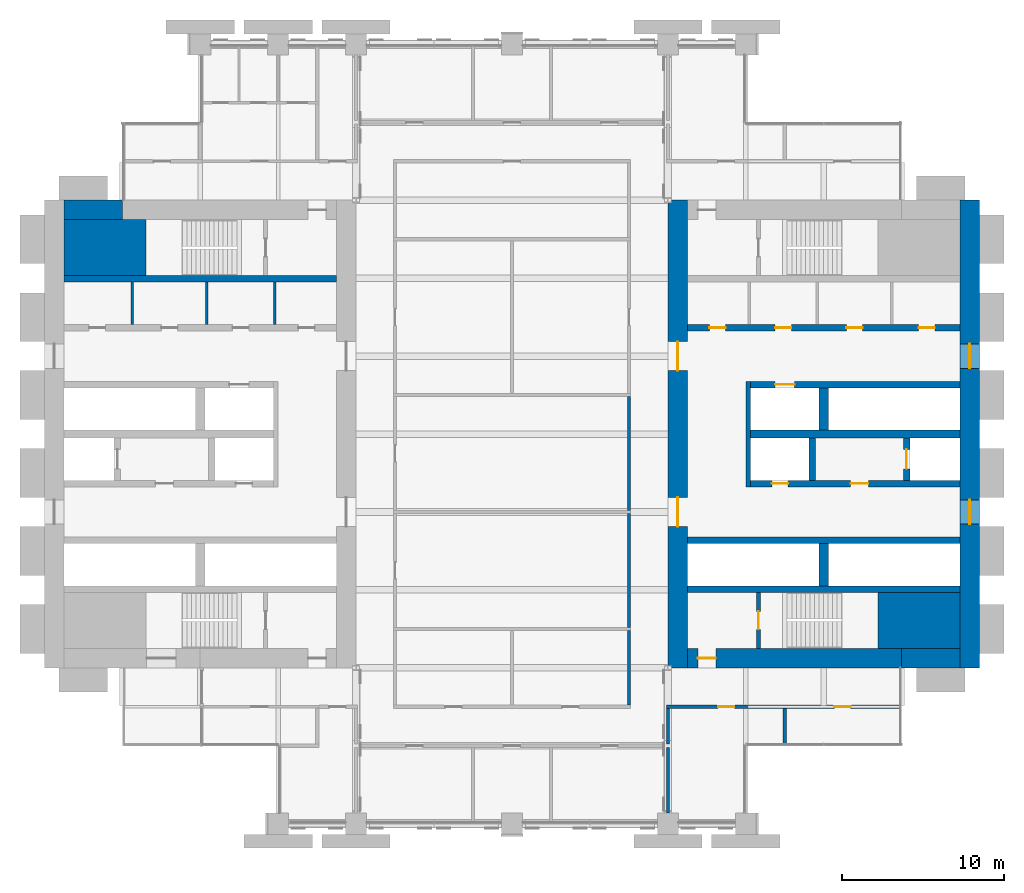
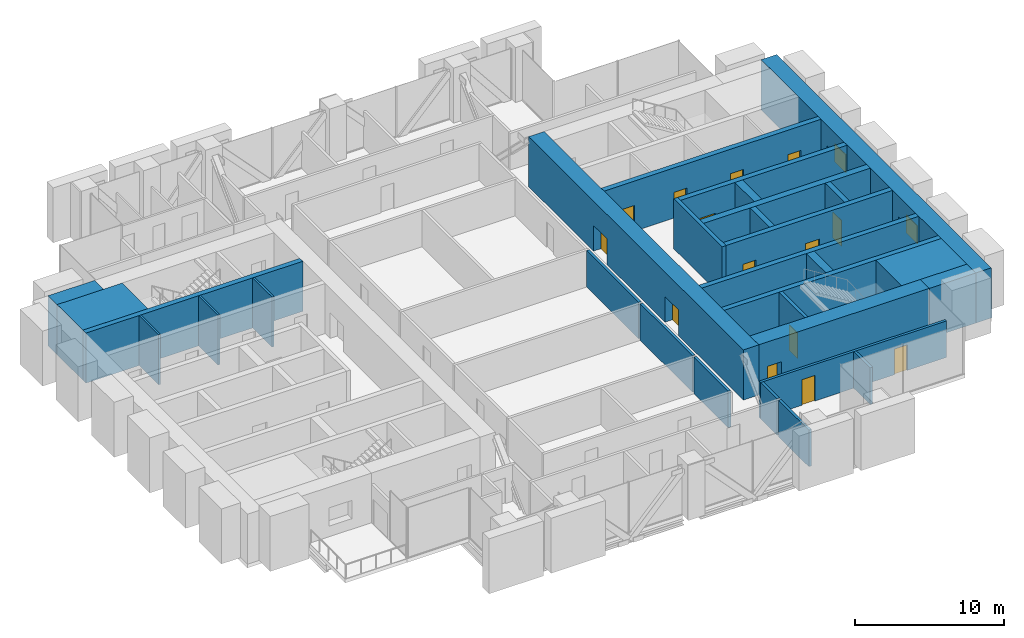
# One storey, part 12 of 15: 30 walls, 14 doors, 2 windows, 16 openings.
"""IFC4 building model written with IfcOpenShell, lengths in metres."""

from ifc_helpers import new_model, si_unit, direction, frame, frame_2d, origin, place, context, subcontext, project, spatial, rectangle, extrude, material, layer, layer_set, type_object, element, fill, save


model = new_model("IFC4")

# Units and contexts
model_context = context("Model", 3, precision=1e-05, world=origin(), true_north=direction((0.0, 1.0)))
body_context = subcontext(model_context, "Body", "Model", "MODEL_VIEW")
ifc_project = project(units=[si_unit("LENGTHUNIT", "METRE"), si_unit("AREAUNIT", "SQUARE_METRE"), si_unit("VOLUMEUNIT", "CUBIC_METRE"), si_unit("PLANEANGLEUNIT", "RADIAN"), si_unit("MASSUNIT", "GRAM", prefix="KILO")], contexts=[model_context])

# Site, building, storey
site_placement = place(None, origin())
site = spatial("IfcSite", under=ifc_project, at=site_placement, CompositionType="ELEMENT")
building_placement = place(site_placement, origin())
building = spatial("IfcBuilding", under=site, at=building_placement, Name="Baori Bourse Tower", CompositionType="ELEMENT")
storey_placement = place(building_placement, frame((0.0, 0.0, 87.0)))
storey = spatial("IfcBuildingStorey", under=building, at=storey_placement, Name="L19", CompositionType="ELEMENT", Elevation=87.0)

# Walls
ifc_material_1 = material(Name="Concrete f'c 70 MPa", Category="concrete")
wall_type_1 = type_object("IfcWallType", Name="Core corner block f'c 70", PredefinedType="SHEAR", material=ifc_material_1)
wall_1_placement = place(storey_placement, frame((1.199951171875, 35.47509765625, 0.0), z_axis=(0.0, 0.0, 1.0), x_axis=(1.0, 0.0, 0.0)))
element("IfcWall", 1, at=wall_1_placement, inside=storey, type_object=wall_type_1, Name="Core wall W22", PredefinedType="SHEAR", context=body_context, shape_type="SweptSolid", body=[
    extrude(rectangle(XDim=5.050048828125, YDim=3.449951171875, at=frame_2d((2.52490234375, 0.0))), origin(), (0.0, 0.0, 1.0), 4.10009765625),
])
wall_2_placement = place(storey_placement, frame((51.35009765625, 12.52490234375, 0.0), z_axis=(0.0, 0.0, 1.0), x_axis=(1.0, 0.0, 0.0)))
element("IfcWall", 2, at=wall_2_placement, inside=storey, type_object=wall_type_1, Name="Core wall E05", PredefinedType="SHEAR", context=body_context, shape_type="SweptSolid", body=[
    extrude(rectangle(XDim=5.0498046875, YDim=3.449951171875, at=frame_2d((2.52490234375, 0.0))), origin(), (0.0, 0.0, 1.0), 4.10009765625),
])
ifc_material_2 = material(Name="Blockwork partition", Category="masonry")
ifc_layer_1 = layer(ifc_material_2, 0.14990234375)
ifc_layer_set_1 = layer_set([ifc_layer_1], Name="Core partition 150")
wall_type_2 = type_object("IfcWallType", Name="Core partition 150", PredefinedType="PARTITIONING", material=ifc_layer_set_1)
for number, where, z_axis, x_axis, name in (
    (3, (5.39990234375, 30.75, 0.0), (0.0, 0.0, 1.0), (0.0, 1.0, 0.0), "Partition wall W18"),
    (4, (10.0, 30.75, 0.0), (0.0, 0.0, 1.0), (0.0, 1.0, 0.0), "Partition wall W19"),
    (5, (14.199951171875, 30.75, 0.0), (0.0, 0.0, 1.0), (0.0, 1.0, 0.0), "Partition wall W20"),
):
    element("IfcWall", number, at=place(storey_placement, frame(where, z_axis=z_axis, x_axis=x_axis)), inside=storey, type_object=wall_type_2, Name=name, PredefinedType="PARTITIONING", context=body_context, shape_type="SweptSolid", body=[
        extrude(rectangle(XDim=2.60009765625, YDim=0.14990234375, at=frame_2d((1.300048828125, 0.0))), origin(), (0.0, 0.0, 1.0), 4.10009765625),
    ])
ifc_material_3 = material(Name="Concrete f'c 70 MPa", Category="concrete")
ifc_layer_2 = layer(ifc_material_3, 1.199951171875)
ifc_layer_set_2 = layer_set([ifc_layer_2], Name="Core wall 1200 f'c 70")
wall_type_3 = type_object("IfcWallType", Name="Core wall 1200 f'c 70", PredefinedType="SHEAR", material=ifc_layer_set_2)
wall_3_placement = place(storey_placement, frame((1.199951171875, 37.800048828125, 0.0), z_axis=(0.0, 0.0, 1.0), x_axis=(1.0, 0.0, 0.0)))
element("IfcWall", 6, at=wall_3_placement, inside=storey, type_object=wall_type_3, Name="Core wall W24", PredefinedType="SHEAR", context=body_context, shape_type="SweptSolid", body=[
    extrude(rectangle(XDim=3.60009765625, YDim=1.199951171875, at=frame_2d((1.800048828125, 0.0))), origin(), (0.0, 0.0, 1.0), 4.10009765625),
])

# Wall, openings, windows
wall_4_placement = place(storey_placement, frame((57.0, 38.39990234375, 0.0), z_axis=(0.0, 0.0, 1.0), x_axis=(0.0, -1.0, 0.0)))
wall_4 = element("IfcWall", 7, at=wall_4_placement, inside=storey, type_object=wall_type_3, Name="Core wall E01", PredefinedType="SHEAR", context=body_context, shape_type="SweptSolid", body=[
    extrude(rectangle(XDim=28.7998046875, YDim=1.199951171875, at=frame_2d((14.39990234375, 0.0))), origin(), (0.0, 0.0, 1.0), 4.10009765625),
])
opening_1_placement = place(wall_4_placement, frame((18.449951171875, 0.0, 0.89990234375)))
opening_1 = element("IfcOpeningElement", 8, at=opening_1_placement, cuts=wall_4, Name="Opening L19-KW201", PredefinedType="OPENING", context=body_context, shape_type="SweptSolid", body=[
    extrude(rectangle(XDim=1.5, YDim=1.5, at=frame_2d((0.75, 0.75))), frame((0.0, 0.60986328125, 0.0), z_axis=(0.0, -1.0, 0.0), x_axis=(1.0, 0.0, 0.0)), (0.0, 0.0, 1.0), 1.219970703125),
])
opening_2_placement = place(wall_4_placement, frame((8.85009765625, 0.0, 0.89990234375)))
opening_2 = element("IfcOpeningElement", 9, at=opening_2_placement, cuts=wall_4, Name="Opening L19-KW202", PredefinedType="OPENING", context=body_context, shape_type="SweptSolid", body=[
    extrude(rectangle(XDim=1.5, YDim=1.5, at=frame_2d((0.75, 0.75))), frame((0.0, 0.60986328125, 0.0), z_axis=(0.0, -1.0, 0.0), x_axis=(1.0, 0.0, 0.0)), (0.0, 0.0, 1.0), 1.219970703125),
])
ifc_material_4 = material(Name="Pale anodised aluminium", Category="aluminium")
window_type = type_object("IfcWindowType", Name="Lobby window 1500 x 1500", PartitioningType="SINGLE_PANEL", PredefinedType="WINDOW", material=ifc_material_4)
window_1_placement = place(opening_1_placement, origin())
window_1 = element("IfcWindow", 10, at=window_1_placement, inside=storey, type_object=window_type, Name="Outer wall window E L19 1", OverallHeight=1.5, OverallWidth=1.5, PartitioningType="SINGLE_PANEL", PredefinedType="WINDOW", context=body_context, shape_type="SweptSolid", body=[
    extrude(rectangle(XDim=1.5, YDim=1.5, at=frame_2d((0.75, 0.75))), frame((0.0, 0.030029296875, 0.0), z_axis=(0.0, -1.0, 0.0), x_axis=(1.0, 0.0, 0.0)), (0.0, 0.0, 1.0), 0.06005859375),
])
fill(opening_1, window_1)
window_2_placement = place(opening_2_placement, origin())
window_2 = element("IfcWindow", 11, at=window_2_placement, inside=storey, type_object=window_type, Name="Outer wall window E L19 2", OverallHeight=1.5, OverallWidth=1.5, PartitioningType="SINGLE_PANEL", PredefinedType="WINDOW", context=body_context, shape_type="SweptSolid", body=[
    extrude(rectangle(XDim=1.5, YDim=1.5, at=frame_2d((0.75, 0.75))), frame((0.0, 0.030029296875, 0.0), z_axis=(0.0, -1.0, 0.0), x_axis=(1.0, 0.0, 0.0)), (0.0, 0.0, 1.0), 0.06005859375),
])
fill(opening_2, window_2)

# Wall
wall_5_placement = place(storey_placement, frame((56.39990234375, 10.199951171875, 0.0), z_axis=(0.0, 0.0, 1.0), x_axis=(-1.0, 0.0, 0.0)))
element("IfcWall", 12, at=wall_5_placement, inside=storey, type_object=wall_type_3, Name="Core wall E02", PredefinedType="SHEAR", context=body_context, shape_type="SweptSolid", body=[
    extrude(rectangle(XDim=3.599853515625, YDim=1.199951171875, at=frame_2d((1.7998046875, 0.0))), origin(), (0.0, 0.0, 1.0), 4.10009765625),
])

# Wall, opening, door
wall_6_placement = place(storey_placement, frame((52.800048828125, 10.199951171875, 0.0), z_axis=(0.0, 0.0, 1.0), x_axis=(-1.0, 0.0, 0.0)))
wall_6 = element("IfcWall", 13, at=wall_6_placement, inside=storey, type_object=wall_type_3, Name="Core wall E03", PredefinedType="SHEAR", context=body_context, shape_type="SweptSolid", body=[
    extrude(rectangle(XDim=13.199951171875, YDim=1.199951171875, at=frame_2d((6.60009765625, 0.0))), origin(), (0.0, 0.0, 1.0), 4.10009765625),
])
opening_3_placement = place(wall_6_placement, frame((11.449951171875, 0.0, 0.0)))
opening_3 = element("IfcOpeningElement", 14, at=opening_3_placement, cuts=wall_6, Name="Opening L19-D202", PredefinedType="OPENING", context=body_context, shape_type="SweptSolid", body=[
    extrude(rectangle(XDim=1.10009765625, YDim=2.10009765625, at=frame_2d((0.550048828125, 1.050048828125))), frame((0.0, 0.60986328125, 0.0), z_axis=(0.0, -1.0, 0.0), x_axis=(1.0, 0.0, 0.0)), (0.0, 0.0, 1.0), 1.219970703125),
])
ifc_material_5 = material(Name="Painted steel door", Category="steel")
door_type_1 = type_object("IfcDoorType", Name="Stair door 1100", OperationType="SINGLE_SWING_LEFT", PredefinedType="DOOR", material=ifc_material_5)
door_1_placement = place(opening_3_placement, origin())
door_1 = element("IfcDoor", 15, at=door_1_placement, inside=storey, type_object=door_type_1, Name="Stair vestibule door A E L19", OperationType="SINGLE_SWING_LEFT", OverallHeight=2.10009765625, OverallWidth=1.10009765625, PredefinedType="DOOR", context=body_context, shape_type="SweptSolid", body=[
    extrude(rectangle(XDim=1.10009765625, YDim=2.10009765625, at=frame_2d((0.550048828125, 1.050048828125))), frame((0.0, 0.02490234375, 0.0), z_axis=(0.0, -1.0, 0.0), x_axis=(1.0, 0.0, 0.0)), (0.0, 0.0, 1.0), 0.050048828125),
])
fill(opening_3, door_1)

# Wall, openings, doors
wall_7_placement = place(storey_placement, frame((39.0, 9.60009765625, 0.0), z_axis=(0.0, 0.0, 1.0), x_axis=(0.0, 1.0, 0.0)))
wall_7 = element("IfcWall", 16, at=wall_7_placement, inside=storey, type_object=wall_type_3, Name="Core wall E04", PredefinedType="SHEAR", context=body_context, shape_type="SweptSolid", body=[
    extrude(rectangle(XDim=28.7998046875, YDim=1.199951171875, at=frame_2d((14.39990234375, 0.0))), origin(), (0.0, 0.0, 1.0), 4.10009765625),
])
opening_4_placement = place(wall_7_placement, frame((8.699951171875, 0.0, 0.0)))
opening_4 = element("IfcOpeningElement", 17, at=opening_4_placement, cuts=wall_7, Name="Opening L19-D207", PredefinedType="OPENING", context=body_context, shape_type="SweptSolid", body=[
    extrude(rectangle(XDim=1.800048828125, YDim=2.10009765625, at=frame_2d((0.89990234375, 1.050048828125))), frame((0.0, 0.60986328125, 0.0), z_axis=(0.0, -1.0, 0.0), x_axis=(1.0, 0.0, 0.0)), (0.0, 0.0, 1.0), 1.219970703125),
])
opening_5_placement = place(wall_7_placement, frame((18.300048828125, 0.0, 0.0)))
opening_5 = element("IfcOpeningElement", 18, at=opening_5_placement, cuts=wall_7, Name="Opening L19-D208", PredefinedType="OPENING", context=body_context, shape_type="SweptSolid", body=[
    extrude(rectangle(XDim=1.800048828125, YDim=2.10009765625, at=frame_2d((0.89990234375, 1.050048828125))), frame((0.0, 0.60986328125, 0.0), z_axis=(0.0, -1.0, 0.0), x_axis=(1.0, 0.0, 0.0)), (0.0, 0.0, 1.0), 1.219970703125),
])
ifc_material_6 = material(Name="Painted steel door", Category="steel")
door_type_2 = type_object("IfcDoorType", Name="Core lobby door 1800", OperationType="DOUBLE_DOOR_SINGLE_SWING", PredefinedType="DOOR", material=ifc_material_6)
door_2_placement = place(opening_4_placement, origin())
door_2 = element("IfcDoor", 19, at=door_2_placement, inside=storey, type_object=door_type_2, Name="Lobby door E L19", OperationType="DOUBLE_DOOR_SINGLE_SWING", OverallHeight=2.10009765625, OverallWidth=1.800048828125, PredefinedType="DOOR", context=body_context, shape_type="SweptSolid", body=[
    extrude(rectangle(XDim=1.800048828125, YDim=2.10009765625, at=frame_2d((0.89990234375, 1.050048828125))), frame((0.0, 0.02490234375, 0.0), z_axis=(0.0, -1.0, 0.0), x_axis=(1.0, 0.0, 0.0)), (0.0, 0.0, 1.0), 0.050048828125),
])
fill(opening_4, door_2)
door_3_placement = place(opening_5_placement, origin())
door_3 = element("IfcDoor", 20, at=door_3_placement, inside=storey, type_object=door_type_2, Name="Lobby door E L19", OperationType="DOUBLE_DOOR_SINGLE_SWING", OverallHeight=2.10009765625, OverallWidth=1.800048828125, PredefinedType="DOOR", context=body_context, shape_type="SweptSolid", body=[
    extrude(rectangle(XDim=1.800048828125, YDim=2.10009765625, at=frame_2d((0.89990234375, 1.050048828125))), frame((0.0, 0.02490234375, 0.0), z_axis=(0.0, -1.0, 0.0), x_axis=(1.0, 0.0, 0.0)), (0.0, 0.0, 1.0), 0.050048828125),
])
fill(opening_5, door_3)

ifc_material_7 = material(Name="Gypsum board partition")
ifc_layer_3 = layer(ifc_material_7, 0.199951171875)
ifc_layer_set_3 = layer_set([ifc_layer_3], Name="Plant room wall 200")
wall_type_4 = type_object("IfcWallType", Name="Plant room wall 200", PredefinedType="PARTITIONING", material=ifc_layer_set_3)
wall_8_placement = place(storey_placement, frame((38.300048828125, 7.199951171875, 0.0), z_axis=(0.0, 0.0, 1.0), x_axis=(1.0, 0.0, 0.0)))
wall_8 = element("IfcWall", 21, at=wall_8_placement, inside=storey, type_object=wall_type_4, Name="Partition", PredefinedType="PARTITIONING", context=body_context, shape_type="SweptSolid", body=[
    extrude(rectangle(XDim=14.39990234375, YDim=0.199951171875, at=frame_2d((7.199951171875, 0.0))), origin(), (0.0, 0.0, 1.0), 2.99267578125),
])
opening_6_placement = place(wall_8_placement, frame((3.199951171875, 0.0, 0.0)))
opening_6 = element("IfcOpeningElement", 22, at=opening_6_placement, cuts=wall_8, Name="Opening L19-D08", PredefinedType="OPENING", context=body_context, shape_type="SweptSolid", body=[
    extrude(rectangle(XDim=1.0, YDim=2.10009765625, at=frame_2d((0.5, 1.050048828125))), frame((0.0, 0.10986328125, 0.0), z_axis=(0.0, -1.0, 0.0), x_axis=(1.0, 0.0, 0.0)), (0.0, 0.0, 1.0), 0.219970703125),
])
opening_7_placement = place(wall_8_placement, frame((10.35009765625, 0.0, 0.0)))
opening_7 = element("IfcOpeningElement", 23, at=opening_7_placement, cuts=wall_8, Name="Opening L19-D09", PredefinedType="OPENING", context=body_context, shape_type="SweptSolid", body=[
    extrude(rectangle(XDim=1.0, YDim=2.10009765625, at=frame_2d((0.5, 1.050048828125))), frame((0.0, 0.10986328125, 0.0), z_axis=(0.0, -1.0, 0.0), x_axis=(1.0, 0.0, 0.0)), (0.0, 0.0, 1.0), 0.219970703125),
])
ifc_material_8 = material(Name="Timber door leaf", Category="wood")
door_type_3 = type_object("IfcDoorType", Name="Door 1000 x 2100", OperationType="SINGLE_SWING_LEFT", PredefinedType="DOOR", material=ifc_material_8)
door_4_placement = place(opening_6_placement, origin())
door_4 = element("IfcDoor", 24, at=door_4_placement, inside=storey, type_object=door_type_3, Name="Door", OperationType="SINGLE_SWING_LEFT", OverallHeight=2.10009765625, OverallWidth=1.0, PredefinedType="DOOR", context=body_context, shape_type="SweptSolid", body=[
    extrude(rectangle(XDim=1.0, YDim=2.10009765625, at=frame_2d((0.5, 1.050048828125))), frame((0.0, 0.02490234375, 0.0), z_axis=(0.0, -1.0, 0.0), x_axis=(1.0, 0.0, 0.0)), (0.0, 0.0, 1.0), 0.050048828125),
])
fill(opening_6, door_4)
door_5_placement = place(opening_7_placement, origin())
door_5 = element("IfcDoor", 25, at=door_5_placement, inside=storey, type_object=door_type_3, Name="Door", OperationType="SINGLE_SWING_RIGHT", OverallHeight=2.10009765625, OverallWidth=1.0, PredefinedType="DOOR", context=body_context, shape_type="SweptSolid", body=[
    extrude(rectangle(XDim=1.0, YDim=2.10009765625, at=frame_2d((0.5, 1.050048828125))), frame((0.0, 0.02490234375, 0.0), z_axis=(0.0, -1.0, 0.0), x_axis=(1.0, 0.0, 0.0)), (0.0, 0.0, 1.0), 0.050048828125),
])
fill(opening_7, door_5)

# Walls
wall_9_placement = place(storey_placement, frame((36.0, 7.300048828125, 0.0), z_axis=(0.0, 0.0, 1.0), x_axis=(0.0, 1.0, 0.0)))
element("IfcWall", 26, at=wall_9_placement, inside=storey, type_object=wall_type_4, Name="Partition", PredefinedType="PARTITIONING", context=body_context, shape_type="SweptSolid", body=[
    extrude(rectangle(XDim=4.599853515625, YDim=0.199951171875, at=frame_2d((2.2998046875, 0.0))), origin(), (0.0, 0.0, 1.0), 2.99267578125),
])
for number, where, z_axis, x_axis, name in (
    (27, (36.0, 12.10009765625, 0.0), (0.0, 0.0, 1.0), (0.0, 1.0, 0.0), "Partition"),
    (28, (36.0, 19.300048828125, 0.0), (0.0, 0.0, 1.0), (0.0, 1.0, 0.0), "Partition"),
):
    element("IfcWall", number, at=place(storey_placement, frame(where, z_axis=z_axis, x_axis=x_axis)), inside=storey, type_object=wall_type_4, Name=name, PredefinedType="PARTITIONING", context=body_context, shape_type="SweptSolid", body=[
        extrude(rectangle(XDim=7.0, YDim=0.199951171875, at=frame_2d((3.5, 0.0))), origin(), (0.0, 0.0, 1.0), 2.99267578125),
    ])
wall_10_placement = place(storey_placement, frame((38.39990234375, 0.64990234375, 0.0), z_axis=(0.0, 0.0, 1.0), x_axis=(0.0, 1.0, 0.0)))
element("IfcWall", 29, at=wall_10_placement, inside=storey, type_object=wall_type_4, Name="Partition", PredefinedType="PARTITIONING", context=body_context, shape_type="SweptSolid", body=[
    extrude(rectangle(XDim=4.050048828125, YDim=0.199951171875, at=frame_2d((2.02490234375, 0.0))), origin(), (0.0, 0.0, 1.0), 2.99267578125),
])
for number, where, z_axis, x_axis, name in (
    (30, (38.39990234375, 4.89990234375, 0.0), (0.0, 0.0, 1.0), (0.0, 1.0, 0.0), "Partition"),
    (31, (45.60009765625, 4.89990234375, 0.0), (0.0, 0.0, 1.0), (0.0, 1.0, 0.0), "Partition"),
):
    element("IfcWall", number, at=place(storey_placement, frame(where, z_axis=z_axis, x_axis=x_axis)), inside=storey, type_object=wall_type_4, Name=name, PredefinedType="PARTITIONING", context=body_context, shape_type="SweptSolid", body=[
        extrude(rectangle(XDim=2.2001953125, YDim=0.199951171875, at=frame_2d((1.10009765625, 0.0))), origin(), (0.0, 0.0, 1.0), 2.99267578125),
    ])

# Wall, opening, door
ifc_material_9 = material(Name="Concrete f'c 70 MPa", Category="concrete")
ifc_layer_4 = layer(ifc_material_9, 0.25)
ifc_layer_set_4 = layer_set([ifc_layer_4], Name="Shaft wall 250 f'c 70")
wall_type_5 = type_object("IfcWallType", Name="Shaft wall 250 f'c 70", PredefinedType="SHEAR", material=ifc_layer_set_4)
wall_11_placement = place(storey_placement, frame((43.97509765625, 10.800048828125, 0.0), z_axis=(0.0, 0.0, 1.0), x_axis=(0.0, 1.0, 0.0)))
wall_11 = element("IfcWall", 32, at=wall_11_placement, inside=storey, type_object=wall_type_5, Name="Core wall E06", PredefinedType="SHEAR", context=body_context, shape_type="SweptSolid", body=[
    extrude(rectangle(XDim=3.449951171875, YDim=0.25, at=frame_2d((1.72509765625, 0.0))), origin(), (0.0, 0.0, 1.0), 4.10009765625),
])
opening_8_placement = place(wall_11_placement, frame((1.175048828125, 0.0, 0.0)))
opening_8 = element("IfcOpeningElement", 33, at=opening_8_placement, cuts=wall_11, Name="Opening L19-D201", PredefinedType="OPENING", context=body_context, shape_type="SweptSolid", body=[
    extrude(rectangle(XDim=1.10009765625, YDim=2.10009765625, at=frame_2d((0.550048828125, 1.050048828125))), frame((0.0, 0.135009765625, 0.0), z_axis=(0.0, -1.0, 0.0), x_axis=(1.0, 0.0, 0.0)), (0.0, 0.0, 1.0), 0.27001953125),
])
door_6_placement = place(opening_8_placement, origin())
door_6 = element("IfcDoor", 34, at=door_6_placement, inside=storey, type_object=door_type_1, Name="Stair door A E L19", OperationType="SINGLE_SWING_LEFT", OverallHeight=2.10009765625, OverallWidth=1.10009765625, PredefinedType="DOOR", context=body_context, shape_type="SweptSolid", body=[
    extrude(rectangle(XDim=1.10009765625, YDim=2.10009765625, at=frame_2d((0.550048828125, 1.050048828125))), frame((0.0, 0.02490234375, 0.0), z_axis=(0.0, -1.0, 0.0), x_axis=(1.0, 0.0, 0.0)), (0.0, 0.0, 1.0), 0.050048828125),
])
fill(opening_8, door_6)

# Walls
ifc_material_10 = material(Name="Concrete f'c 70 MPa", Category="concrete")
ifc_layer_5 = layer(ifc_material_10, 0.300048828125)
ifc_layer_set_5 = layer_set([ifc_layer_5], Name="Shaft wall 300 f'c 70")
wall_type_6 = type_object("IfcWallType", Name="Shaft wall 300 f'c 70", PredefinedType="SHEAR", material=ifc_layer_set_5)
wall_12_placement = place(storey_placement, frame((43.35009765625, 20.75, 0.0), z_axis=(0.0, 0.0, 1.0), x_axis=(0.0, 1.0, 0.0)))
element("IfcWall", 35, at=wall_12_placement, inside=storey, type_object=wall_type_6, Name="Core wall E11", PredefinedType="SHEAR", context=body_context, shape_type="SweptSolid", body=[
    extrude(rectangle(XDim=6.5, YDim=0.300048828125, at=frame_2d((3.25, 0.0))), origin(), (0.0, 0.0, 1.0), 4.10009765625),
])
ifc_material_11 = material(Name="Concrete f'c 70 MPa", Category="concrete")
ifc_layer_6 = layer(ifc_material_11, 0.39990234375)
ifc_layer_set_6 = layer_set([ifc_layer_6], Name="Shaft wall 400 f'c 70")
wall_type_7 = type_object("IfcWallType", Name="Shaft wall 400 f'c 70", PredefinedType="SHEAR", material=ifc_layer_set_6)
wall_13_placement = place(storey_placement, frame((1.199951171875, 33.550048828125, 0.0), z_axis=(0.0, 0.0, 1.0), x_axis=(1.0, 0.0, 0.0)))
element("IfcWall", 36, at=wall_13_placement, inside=storey, type_object=wall_type_7, Name="Core wall W21", PredefinedType="SHEAR", context=body_context, shape_type="SweptSolid", body=[
    extrude(rectangle(XDim=16.800048828125, YDim=0.39990234375, at=frame_2d((8.39990234375, 0.0))), origin(), (0.0, 0.0, 1.0), 4.10009765625),
])
for number, where, z_axis, x_axis, name in (
    (37, (39.60009765625, 14.449951171875, 0.0), (0.0, 0.0, 1.0), (1.0, 0.0, 0.0), "Core wall E07"),
    (38, (39.60009765625, 17.449951171875, 0.0), (0.0, 0.0, 1.0), (1.0, 0.0, 0.0), "Core wall E09"),
):
    element("IfcWall", number, at=place(storey_placement, frame(where, z_axis=z_axis, x_axis=x_axis)), inside=storey, type_object=wall_type_7, Name=name, PredefinedType="SHEAR", context=body_context, shape_type="SweptSolid", body=[
        extrude(rectangle(XDim=16.7998046875, YDim=0.39990234375, at=frame_2d((8.39990234375, 0.0))), origin(), (0.0, 0.0, 1.0), 4.10009765625),
    ])

# Wall, openings, doors
wall_14_placement = place(storey_placement, frame((43.5, 20.949951171875, 0.0), z_axis=(0.0, 0.0, 1.0), x_axis=(1.0, 0.0, 0.0)))
wall_14 = element("IfcWall", 39, at=wall_14_placement, inside=storey, type_object=wall_type_7, Name="Core wall E10", PredefinedType="SHEAR", context=body_context, shape_type="SweptSolid", body=[
    extrude(rectangle(XDim=12.89990234375, YDim=0.39990234375, at=frame_2d((6.449951171875, 0.0))), origin(), (0.0, 0.0, 1.0), 4.10009765625),
])
opening_9_placement = place(wall_14_placement, frame((6.14990234375, 0.0, 0.0)))
opening_9 = element("IfcOpeningElement", 40, at=opening_9_placement, cuts=wall_14, Name="Opening L19-D205", PredefinedType="OPENING", context=body_context, shape_type="SweptSolid", body=[
    extrude(rectangle(XDim=1.10009765625, YDim=2.10009765625, at=frame_2d((0.550048828125, 1.050048828125))), frame((0.0, 0.2099609375, 0.0), z_axis=(0.0, -1.0, 0.0), x_axis=(1.0, 0.0, 0.0)), (0.0, 0.0, 1.0), 0.419921875),
])
opening_10_placement = place(wall_14_placement, frame((1.300048828125, 0.0, 0.0)))
opening_10 = element("IfcOpeningElement", 41, at=opening_10_placement, cuts=wall_14, Name="Opening L19-D206", PredefinedType="OPENING", context=body_context, shape_type="SweptSolid", body=[
    extrude(rectangle(XDim=1.0, YDim=2.10009765625, at=frame_2d((0.5, 1.050048828125))), frame((0.0, 0.2099609375, 0.0), z_axis=(0.0, -1.0, 0.0), x_axis=(1.0, 0.0, 0.0)), (0.0, 0.0, 1.0), 0.419921875),
])
ifc_material_12 = material(Name="Painted steel door", Category="steel")
door_type_4 = type_object("IfcDoorType", Name="Lobby door 1100", OperationType="SINGLE_SWING_LEFT", PredefinedType="DOOR", material=ifc_material_12)
door_7_placement = place(opening_9_placement, origin())
door_7 = element("IfcDoor", 42, at=door_7_placement, inside=storey, type_object=door_type_4, Name="Firefighting lobby door E L19", OperationType="SINGLE_SWING_LEFT", OverallHeight=2.10009765625, OverallWidth=1.10009765625, PredefinedType="DOOR", context=body_context, shape_type="SweptSolid", body=[
    extrude(rectangle(XDim=1.10009765625, YDim=2.10009765625, at=frame_2d((0.550048828125, 1.050048828125))), frame((0.0, 0.02490234375, 0.0), z_axis=(0.0, -1.0, 0.0), x_axis=(1.0, 0.0, 0.0)), (0.0, 0.0, 1.0), 0.050048828125),
])
fill(opening_9, door_7)
ifc_material_13 = material(Name="Painted steel door", Category="steel")
door_type_5 = type_object("IfcDoorType", Name="Shaft door 1000", OperationType="SINGLE_SWING_LEFT", PredefinedType="DOOR", material=ifc_material_13)
door_8_placement = place(opening_10_placement, origin())
door_8 = element("IfcDoor", 43, at=door_8_placement, inside=storey, type_object=door_type_5, Name="Riser room door E L19", OperationType="SINGLE_SWING_LEFT", OverallHeight=2.10009765625, OverallWidth=1.0, PredefinedType="DOOR", context=body_context, shape_type="SweptSolid", body=[
    extrude(rectangle(XDim=1.0, YDim=2.10009765625, at=frame_2d((0.5, 1.050048828125))), frame((0.0, 0.02490234375, 0.0), z_axis=(0.0, -1.0, 0.0), x_axis=(1.0, 0.0, 0.0)), (0.0, 0.0, 1.0), 0.050048828125),
])
fill(opening_10, door_8)

# Wall, opening, door
wall_15_placement = place(storey_placement, frame((53.10009765625, 21.14990234375, 0.0), z_axis=(0.0, 0.0, 1.0), x_axis=(0.0, 1.0, 0.0)))
wall_15 = element("IfcWall", 44, at=wall_15_placement, inside=storey, type_object=wall_type_7, Name="Core wall E12", PredefinedType="SHEAR", context=body_context, shape_type="SweptSolid", body=[
    extrude(rectangle(XDim=2.60009765625, YDim=0.39990234375, at=frame_2d((1.300048828125, 0.0))), origin(), (0.0, 0.0, 1.0), 4.10009765625),
])
opening_11_placement = place(wall_15_placement, frame((0.699951171875, 0.0, 0.0)))
opening_11 = element("IfcOpeningElement", 45, at=opening_11_placement, cuts=wall_15, Name="Opening L19-D214", PredefinedType="OPENING", context=body_context, shape_type="SweptSolid", body=[
    extrude(rectangle(XDim=1.199951171875, YDim=2.10009765625, at=frame_2d((0.60009765625, 1.050048828125))), frame((0.0, 0.2099609375, 0.0), z_axis=(0.0, -1.0, 0.0), x_axis=(1.0, 0.0, 0.0)), (0.0, 0.0, 1.0), 0.419921875),
])
ifc_material_14 = material(Name="Stainless steel door", Category="steel")
door_type_6 = type_object("IfcDoorType", Name="Lift landing door", OperationType="DOUBLE_DOOR_SLIDING", PredefinedType="DOOR", material=ifc_material_14)
door_9_placement = place(opening_11_placement, origin())
door_9 = element("IfcDoor", 46, at=door_9_placement, inside=storey, type_object=door_type_6, Name="Lift landing door FF2 E L19", OperationType="DOUBLE_DOOR_SLIDING", OverallHeight=2.10009765625, OverallWidth=1.199951171875, PredefinedType="DOOR", context=body_context, shape_type="SweptSolid", body=[
    extrude(rectangle(XDim=1.199951171875, YDim=2.10009765625, at=frame_2d((0.60009765625, 1.050048828125))), frame((0.0, 0.02490234375, 0.0), z_axis=(0.0, -1.0, 0.0), x_axis=(1.0, 0.0, 0.0)), (0.0, 0.0, 1.0), 0.050048828125),
])
fill(opening_11, door_9)

# Wall
wall_16_placement = place(storey_placement, frame((47.300048828125, 21.14990234375, 0.0), z_axis=(0.0, 0.0, 1.0), x_axis=(0.0, 1.0, 0.0)))
element("IfcWall", 47, at=wall_16_placement, inside=storey, type_object=wall_type_7, Name="Core wall E13", PredefinedType="SHEAR", context=body_context, shape_type="SweptSolid", body=[
    extrude(rectangle(XDim=2.60009765625, YDim=0.39990234375, at=frame_2d((1.300048828125, 0.0))), origin(), (0.0, 0.0, 1.0), 4.10009765625),
])

# Wall, opening, door
wall_17_placement = place(storey_placement, frame((43.5, 27.050048828125, 0.0), z_axis=(0.0, 0.0, 1.0), x_axis=(1.0, 0.0, 0.0)))
wall_17 = element("IfcWall", 48, at=wall_17_placement, inside=storey, type_object=wall_type_7, Name="Core wall E16", PredefinedType="SHEAR", context=body_context, shape_type="SweptSolid", body=[
    extrude(rectangle(XDim=12.89990234375, YDim=0.39990234375, at=frame_2d((6.449951171875, 0.0))), origin(), (0.0, 0.0, 1.0), 4.10009765625),
])
opening_12_placement = place(wall_17_placement, frame((1.5, 0.0, 0.0)))
opening_12 = element("IfcOpeningElement", 49, at=opening_12_placement, cuts=wall_17, Name="Opening L19-D213", PredefinedType="OPENING", context=body_context, shape_type="SweptSolid", body=[
    extrude(rectangle(XDim=1.199951171875, YDim=2.10009765625, at=frame_2d((0.60009765625, 1.050048828125))), frame((0.0, 0.2099609375, 0.0), z_axis=(0.0, -1.0, 0.0), x_axis=(1.0, 0.0, 0.0)), (0.0, 0.0, 1.0), 0.419921875),
])
door_10_placement = place(opening_12_placement, origin())
door_10 = element("IfcDoor", 50, at=door_10_placement, inside=storey, type_object=door_type_6, Name="Lift landing door SV1 E L19", OperationType="DOUBLE_DOOR_SLIDING", OverallHeight=2.10009765625, OverallWidth=1.199951171875, PredefinedType="DOOR", context=body_context, shape_type="SweptSolid", body=[
    extrude(rectangle(XDim=1.199951171875, YDim=2.10009765625, at=frame_2d((0.60009765625, 1.050048828125))), frame((0.0, 0.02490234375, 0.0), z_axis=(0.0, -1.0, 0.0), x_axis=(1.0, 0.0, 0.0)), (0.0, 0.0, 1.0), 0.050048828125),
])
fill(opening_12, door_10)

# Wall, openings, doors
wall_18_placement = place(storey_placement, frame((39.60009765625, 30.550048828125, 0.0), z_axis=(0.0, 0.0, 1.0), x_axis=(1.0, 0.0, 0.0)))
wall_18 = element("IfcWall", 51, at=wall_18_placement, inside=storey, type_object=wall_type_7, Name="Core wall E17", PredefinedType="SHEAR", context=body_context, shape_type="SweptSolid", body=[
    extrude(rectangle(XDim=16.7998046875, YDim=0.39990234375, at=frame_2d((8.39990234375, 0.0))), origin(), (0.0, 0.0, 1.0), 4.10009765625),
])
opening_13_placement = place(wall_18_placement, frame((14.237548828125, 0.0, 0.0)))
opening_13 = element("IfcOpeningElement", 52, at=opening_13_placement, cuts=wall_18, Name="Opening L19-D209", PredefinedType="OPENING", context=body_context, shape_type="SweptSolid", body=[
    extrude(rectangle(XDim=1.0, YDim=2.10009765625, at=frame_2d((0.5, 1.050048828125))), frame((0.0, 0.2099609375, 0.0), z_axis=(0.0, -1.0, 0.0), x_axis=(1.0, 0.0, 0.0)), (0.0, 0.0, 1.0), 0.419921875),
])
opening_14_placement = place(wall_18_placement, frame((9.800048828125, 0.0, 0.0)))
opening_14 = element("IfcOpeningElement", 53, at=opening_14_placement, cuts=wall_18, Name="Opening L19-D210", PredefinedType="OPENING", context=body_context, shape_type="SweptSolid", body=[
    extrude(rectangle(XDim=1.0, YDim=2.10009765625, at=frame_2d((0.5, 1.050048828125))), frame((0.0, 0.2099609375, 0.0), z_axis=(0.0, -1.0, 0.0), x_axis=(1.0, 0.0, 0.0)), (0.0, 0.0, 1.0), 0.419921875),
])
opening_15_placement = place(wall_18_placement, frame((5.39990234375, 0.0, 0.0)))
opening_15 = element("IfcOpeningElement", 54, at=opening_15_placement, cuts=wall_18, Name="Opening L19-D211", PredefinedType="OPENING", context=body_context, shape_type="SweptSolid", body=[
    extrude(rectangle(XDim=1.0, YDim=2.10009765625, at=frame_2d((0.5, 1.050048828125))), frame((0.0, 0.2099609375, 0.0), z_axis=(0.0, -1.0, 0.0), x_axis=(1.0, 0.0, 0.0)), (0.0, 0.0, 1.0), 0.419921875),
])
opening_16_placement = place(wall_18_placement, frame((1.362548828125, 0.0, 0.0)))
opening_16 = element("IfcOpeningElement", 55, at=opening_16_placement, cuts=wall_18, Name="Opening L19-D212", PredefinedType="OPENING", context=body_context, shape_type="SweptSolid", body=[
    extrude(rectangle(XDim=1.0, YDim=2.10009765625, at=frame_2d((0.5, 1.050048828125))), frame((0.0, 0.2099609375, 0.0), z_axis=(0.0, -1.0, 0.0), x_axis=(1.0, 0.0, 0.0)), (0.0, 0.0, 1.0), 0.419921875),
])
ifc_material_15 = material(Name="Painted steel door", Category="steel")
door_type_7 = type_object("IfcDoorType", Name="Core door 1000", OperationType="SINGLE_SWING_LEFT", PredefinedType="DOOR", material=ifc_material_15)
door_11_placement = place(opening_15_placement, origin())
door_11 = element("IfcDoor", 56, at=door_11_placement, inside=storey, type_object=door_type_7, Name="Plant Floor Refuge Room door E L19", OperationType="SINGLE_SWING_LEFT", OverallHeight=2.10009765625, OverallWidth=1.0, PredefinedType="DOOR", context=body_context, shape_type="SweptSolid", body=[
    extrude(rectangle(XDim=1.0, YDim=2.10009765625, at=frame_2d((0.5, 1.050048828125))), frame((0.0, 0.02490234375, 0.0), z_axis=(0.0, -1.0, 0.0), x_axis=(1.0, 0.0, 0.0)), (0.0, 0.0, 1.0), 0.050048828125),
])
fill(opening_15, door_11)
ifc_material_16 = material(Name="Painted steel door", Category="steel")
door_type_8 = type_object("IfcDoorType", Name="Plant room door 1000", OperationType="SINGLE_SWING_LEFT", PredefinedType="DOOR", material=ifc_material_16)
door_12_placement = place(opening_13_placement, origin())
door_12 = element("IfcDoor", 57, at=door_12_placement, inside=storey, type_object=door_type_8, Name="Electrical Room door E L19", OperationType="SINGLE_SWING_LEFT", OverallHeight=2.10009765625, OverallWidth=1.0, PredefinedType="DOOR", context=body_context, shape_type="SweptSolid", body=[
    extrude(rectangle(XDim=1.0, YDim=2.10009765625, at=frame_2d((0.5, 1.050048828125))), frame((0.0, 0.02490234375, 0.0), z_axis=(0.0, -1.0, 0.0), x_axis=(1.0, 0.0, 0.0)), (0.0, 0.0, 1.0), 0.050048828125),
])
fill(opening_13, door_12)
door_13_placement = place(opening_14_placement, origin())
door_13 = element("IfcDoor", 58, at=door_13_placement, inside=storey, type_object=door_type_8, Name="Mechanical Room door E L19", OperationType="SINGLE_SWING_LEFT", OverallHeight=2.10009765625, OverallWidth=1.0, PredefinedType="DOOR", context=body_context, shape_type="SweptSolid", body=[
    extrude(rectangle(XDim=1.0, YDim=2.10009765625, at=frame_2d((0.5, 1.050048828125))), frame((0.0, 0.02490234375, 0.0), z_axis=(0.0, -1.0, 0.0), x_axis=(1.0, 0.0, 0.0)), (0.0, 0.0, 1.0), 0.050048828125),
])
fill(opening_14, door_13)
door_14_placement = place(opening_16_placement, origin())
door_14 = element("IfcDoor", 59, at=door_14_placement, inside=storey, type_object=door_type_8, Name="Communications Room door E L19", OperationType="SINGLE_SWING_LEFT", OverallHeight=2.10009765625, OverallWidth=1.0, PredefinedType="DOOR", context=body_context, shape_type="SweptSolid", body=[
    extrude(rectangle(XDim=1.0, YDim=2.10009765625, at=frame_2d((0.5, 1.050048828125))), frame((0.0, 0.02490234375, 0.0), z_axis=(0.0, -1.0, 0.0), x_axis=(1.0, 0.0, 0.0)), (0.0, 0.0, 1.0), 0.050048828125),
])
fill(opening_16, door_14)

# Walls
ifc_material_17 = material(Name="Concrete f'c 70 MPa", Category="concrete")
ifc_layer_7 = layer(ifc_material_17, 0.5)
ifc_layer_set_7 = layer_set([ifc_layer_7], Name="Shaft wall 500 f'c 70")
wall_type_8 = type_object("IfcWallType", Name="Shaft wall 500 f'c 70", PredefinedType="SHEAR", material=ifc_layer_set_7)
wall_19_placement = place(storey_placement, frame((43.5, 24.0, 0.0), z_axis=(0.0, 0.0, 1.0), x_axis=(1.0, 0.0, 0.0)))
element("IfcWall", 60, at=wall_19_placement, inside=storey, type_object=wall_type_8, Name="Core wall E14", PredefinedType="SHEAR", context=body_context, shape_type="SweptSolid", body=[
    extrude(rectangle(XDim=12.89990234375, YDim=0.5, at=frame_2d((6.449951171875, 0.0))), origin(), (0.0, 0.0, 1.0), 4.10009765625),
])
ifc_material_18 = material(Name="Concrete f'c 70 MPa", Category="concrete")
ifc_layer_8 = layer(ifc_material_18, 0.60009765625)
ifc_layer_set_8 = layer_set([ifc_layer_8], Name="Shaft wall 600 f'c 70")
wall_type_9 = type_object("IfcWallType", Name="Shaft wall 600 f'c 70", PredefinedType="SHEAR", material=ifc_layer_set_8)
for number, where, z_axis, x_axis, name in (
    (61, (48.0, 14.64990234375, 0.0), (0.0, 0.0, 1.0), (0.0, 1.0, 0.0), "Core wall E08"),
    (62, (48.0, 24.25, 0.0), (0.0, 0.0, 1.0), (0.0, 1.0, 0.0), "Core wall E15"),
):
    element("IfcWall", number, at=place(storey_placement, frame(where, z_axis=z_axis, x_axis=x_axis)), inside=storey, type_object=wall_type_9, Name=name, PredefinedType="SHEAR", context=body_context, shape_type="SweptSolid", body=[
        extrude(rectangle(XDim=2.60009765625, YDim=0.60009765625, at=frame_2d((1.300048828125, 0.0))), origin(), (0.0, 0.0, 1.0), 4.10009765625),
    ])

save(model, "model.ifc")
